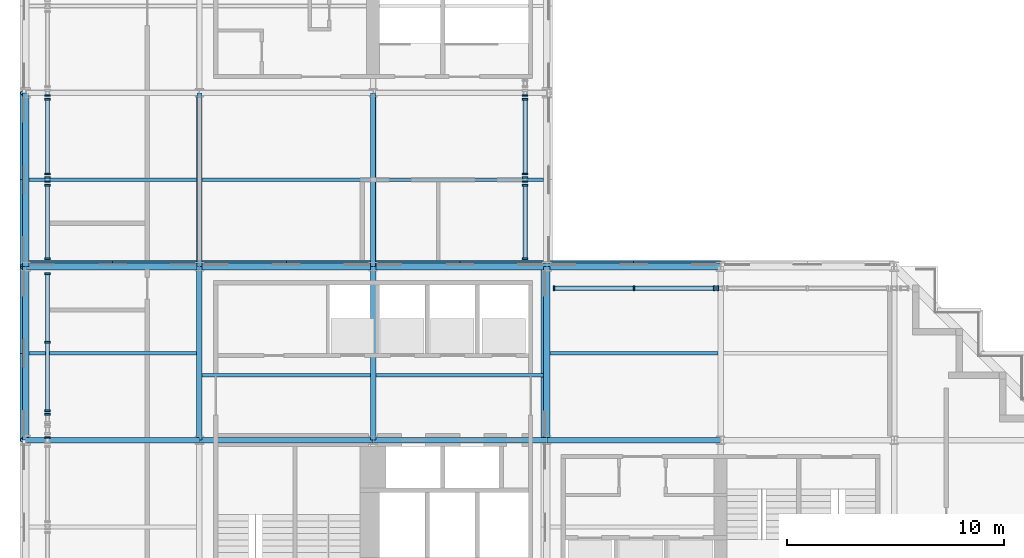
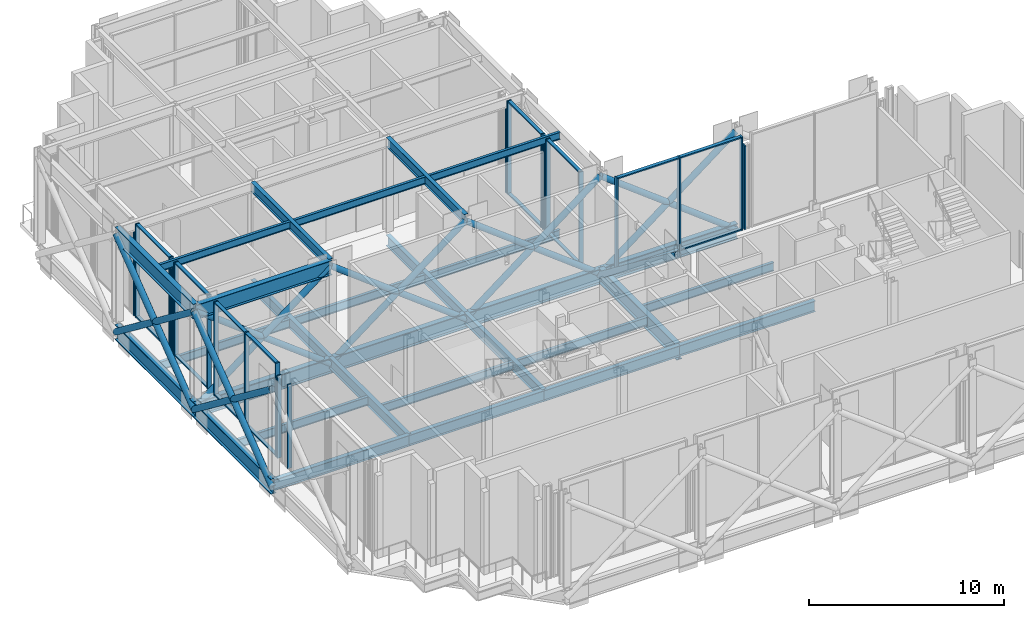
# One storey, part 3 of 23: 52 members, 29 beams, 13 elements without a shape of their own.
"""IFC4 building model written with IfcOpenShell, lengths in metres."""

import ifcopenshell
import ifcopenshell.guid

model = None  # the IFC model being written
_history = None  # IfcOwnerHistory: only IFC2X3 demands one
_inside = {}  # id of a spatial element -> (the spatial element, [elements in it])
_under = {}  # id of a project, library or spatial element -> (it, [spatial elements below it])
_declared = {}  # id of a project -> (the project, [libraries it declares])
_typed = {}  # id of a type object -> (the type object, [elements of that type])
_made_of = {}  # id of a material, layer set ... -> (it, [elements and type objects made of it])


def new_model(schema):
    """Start an empty IFC model of exactly this schema.

    Asked for "IFC4X3", IfcOpenShell would pick the latest addendum, in which some entities
    have other attributes; the version numbers below select the first issue.
    IFC2X3 requires an IfcOwnerHistory on every rooted entity: one is made here for all.
    """
    global model, _history
    if schema == "IFC4X3":
        model = ifcopenshell.file(schema_version=(4, 3, 0, 0))
    else:
        model = ifcopenshell.file(schema=schema)
    _inside.clear()
    _under.clear()
    _declared.clear()
    _typed.clear()
    _made_of.clear()
    _history = None
    if model.schema == "IFC2X3":
        org = make("IfcOrganization", Name="unknown")
        user = make(
            "IfcPersonAndOrganization",
            ThePerson=make("IfcPerson", FamilyName="unknown"),
            TheOrganization=org,
        )
        app = make(
            "IfcApplication",
            ApplicationDeveloper=org,
            Version="unknown",
            ApplicationFullName="unknown",
            ApplicationIdentifier="unknown",
        )
        _history = make(
            "IfcOwnerHistory",
            OwningUser=user,
            OwningApplication=app,
            ChangeAction="ADDED",
            CreationDate=0,
        )
    return model


def make(cls, **values):
    """One entity of the class cls with the attributes given. An attribute that is None is left unset."""
    return model.create_entity(
        cls, **{name: value for name, value in values.items() if value is not None}
    )


def rooted(cls, **values):
    """An entity with a GlobalId (a new one), such as an element, a storey or a relation."""
    return make(cls, GlobalId=ifcopenshell.guid.new(), OwnerHistory=_history, **values)


def si_unit(unit_type, name, prefix=None):
    """IfcSIUnit, for example si_unit("LENGTHUNIT", "METRE", prefix="MILLI")."""
    return make("IfcSIUnit", UnitType=unit_type, Prefix=prefix, Name=name)


def assignment(units):
    """IfcUnitAssignment: the units of a project."""
    return None if units is None else make("IfcUnitAssignment", Units=units)


def point(xyz):
    """IfcCartesianPoint."""
    return None if xyz is None else make("IfcCartesianPoint", Coordinates=xyz)


def direction(xyz):
    """IfcDirection."""
    return None if xyz is None else make("IfcDirection", DirectionRatios=xyz)


def frame(location, z_axis=None, x_axis=None):
    """IfcAxis2Placement3D, a coordinate frame: its origin and axes. An axis left out is left unset."""
    return make(
        "IfcAxis2Placement3D",
        Location=point(location),
        Axis=direction(z_axis),
        RefDirection=direction(x_axis),
    )


def frame_2d(location, x_axis=None):
    """IfcAxis2Placement2D, a coordinate frame in the plane: its origin and x axis."""
    return make(
        "IfcAxis2Placement2D", Location=point(location), RefDirection=direction(x_axis)
    )


def origin():
    """The frame at (0, 0, 0) with its axes left unset."""
    return frame((0.0, 0.0, 0.0))


def origin_2d():
    """The frame at (0, 0) in the plane with its x axis left unset."""
    return frame_2d((0.0, 0.0))


def place(relative_to, where):
    """IfcLocalPlacement: puts the frame where relative to a parent placement (None: the world)."""
    return make(
        "IfcLocalPlacement", PlacementRelTo=relative_to, RelativePlacement=where
    )


def context(
    kind, dimensions, precision=None, world=None, true_north=None, identifier=None
):
    """IfcGeometricRepresentationContext, for example the 3D "Model" context."""
    return make(
        "IfcGeometricRepresentationContext",
        ContextIdentifier=identifier,
        ContextType=kind,
        CoordinateSpaceDimension=dimensions,
        Precision=precision,
        WorldCoordinateSystem=world,
        TrueNorth=true_north,
    )


def subcontext(parent, identifier, kind, view, scale=None):
    """IfcGeometricRepresentationSubContext, for example "Body" below "Model"."""
    return make(
        "IfcGeometricRepresentationSubContext",
        ContextIdentifier=identifier,
        ContextType=kind,
        ParentContext=parent,
        TargetScale=scale,
        TargetView=view,
    )


def project(units=None, contexts=None):
    """IfcProject with its units and contexts."""
    return rooted(
        "IfcProject",
        Name="project",
        RepresentationContexts=contexts,
        UnitsInContext=assignment(units),
    )


def spatial(cls, under=None, at=None, **own):
    """A site, building, storey or space (cls), placed at a placement, below another one or the project."""
    s = rooted(cls, ObjectPlacement=at, **own)
    if under is not None:
        _under.setdefault(under.id(), (under, []))[1].append(s)
    return s


def profile(cls, at=None, kind="AREA", **sizes):
    """A parametric profile (cls). Its sizes go by their IFC names, for example OverallWidth=200.0."""
    return make(cls, ProfileType=kind, Position=at, **sizes)


def rectangle(**sizes):
    """IfcRectangleProfileDef."""
    return profile("IfcRectangleProfileDef", **sizes)


def hollow_circle(**sizes):
    """IfcCircleHollowProfileDef."""
    return profile("IfcCircleHollowProfileDef", **sizes)


def i_section(**sizes):
    """IfcIShapeProfileDef."""
    return profile("IfcIShapeProfileDef", **sizes)


def extrude(swept, where, along, depth):
    """IfcExtrudedAreaSolid: the profile swept, set in the frame where, extruded along a direction by depth."""
    return make(
        "IfcExtrudedAreaSolid",
        SweptArea=swept,
        Position=where,
        ExtrudedDirection=direction(along),
        Depth=depth,
    )


def shape(context_of_items, identifier, shape_type, items):
    """IfcShapeRepresentation: the items that make up one representation, for example the "Body"."""
    return make(
        "IfcShapeRepresentation",
        ContextOfItems=context_of_items,
        RepresentationIdentifier=identifier,
        RepresentationType=shape_type,
        Items=items,
    )


def material(Name=None, Category=None):
    """IfcMaterial."""
    return make("IfcMaterial", Name=Name, Category=Category)


def material_profile(
    of_material, cross_section, Name=None, Category=None, Priority=None
):
    """IfcMaterialProfile: a cross section and its material."""
    return make(
        "IfcMaterialProfile",
        Name=Name,
        Material=of_material,
        Profile=cross_section,
        Priority=Priority,
        Category=Category,
    )


def profile_set(profiles, Name=None, composite=None):
    """IfcMaterialProfileSet."""
    return make(
        "IfcMaterialProfileSet",
        Name=Name,
        MaterialProfiles=profiles,
        CompositeProfile=composite,
    )


def made_of(thing, what):
    """Note that an element or type object is made of a material, layer set ...; save() writes the relation."""
    if what is not None:
        _made_of.setdefault(what.id(), (what, []))[1].append(thing)
    return thing


def type_object(cls, material=None, **own):
    """A type object (cls), such as IfcWallType, which elements share."""
    return made_of(rooted(cls, **own), material)


def element(
    cls,
    number,
    at=None,
    inside=None,
    cuts=None,
    type_object=None,
    material=None,
    context=None,
    identifier="Body",
    shape_type=None,
    held_by="IfcProductDefinitionShape",
    body=None,
    shapes=None,
    **own,
):
    """One element of the class cls, such as IfcWall. Its Tag is "e" and its number.

    at: its placement. inside: the storey or other place that contains it. cuts: it is an
    opening in that element (IfcRelVoidsElement). A single representation is given by context,
    identifier, shape_type and body (its items); several are given by shapes. held_by: the class
    of the entity that holds the representations. save() writes the other relations.
    """
    e = rooted(cls, Tag="e%d" % number, ObjectPlacement=at, **own)
    if body is not None:
        shapes = [shape(context, identifier, shape_type, body)]
    if shapes is not None:
        e.Representation = make(held_by, Representations=shapes)
    if inside is not None:
        _inside.setdefault(inside.id(), (inside, []))[1].append(e)
    if cuts is not None:
        rooted(
            "IfcRelVoidsElement", RelatingBuildingElement=cuts, RelatedOpeningElement=e
        )
    if type_object is not None:
        _typed.setdefault(type_object.id(), (type_object, []))[1].append(e)
    return made_of(e, material)


def aggregate(whole, parts):
    """IfcRelAggregates: a whole, such as a stair, and the parts it consists of."""
    return rooted("IfcRelAggregates", RelatingObject=whole, RelatedObjects=parts)


def save(model, path):
    """Write the relations noted so far, then the file.

    IfcRelAggregates (storeys below a building ...), IfcRelContainedInSpatialStructure (elements
    in a storey), IfcRelDefinesByType, IfcRelAssociatesMaterial and IfcRelDeclares: one each for
    every whole, place, type object, material and project.
    """
    for whole, parts in _under.values():
        aggregate(whole, parts)
    for where, things in _inside.values():
        rooted(
            "IfcRelContainedInSpatialStructure",
            RelatedElements=things,
            RelatingStructure=where,
        )
    for kind, things in _typed.values():
        rooted("IfcRelDefinesByType", RelatedObjects=things, RelatingType=kind)
    for what, things in _made_of.values():
        rooted("IfcRelAssociatesMaterial", RelatedObjects=things, RelatingMaterial=what)
    for by, libraries in _declared.values():
        rooted("IfcRelDeclares", RelatingContext=by, RelatedDefinitions=libraries)
    model.write(path)


model = new_model("IFC4")

# Units and contexts
model_context = context("Model", 3, precision=1e-05, world=origin(), true_north=direction((0.0, 1.0)))
body_context = subcontext(model_context, "Body", "Model", "MODEL_VIEW")
ifc_project = project(units=[si_unit("LENGTHUNIT", "METRE"), si_unit("AREAUNIT", "SQUARE_METRE"), si_unit("VOLUMEUNIT", "CUBIC_METRE"), si_unit("PLANEANGLEUNIT", "RADIAN"), si_unit("MASSUNIT", "GRAM", prefix="KILO")], contexts=[model_context])

# Site, building, storey
site_placement = place(None, origin())
site = spatial("IfcSite", under=ifc_project, at=site_placement, CompositionType="ELEMENT")
building_placement = place(site_placement, origin())
building = spatial("IfcBuilding", under=site, at=building_placement, Name="Immortelle Media Tower", CompositionType="ELEMENT")
storey_placement = place(building_placement, frame((0.0, 0.0, 183.0)))
storey = spatial("IfcBuildingStorey", under=building, at=storey_placement, Name="L38", CompositionType="ELEMENT", Elevation=183.0)

# Members
ifc_material_1 = material(Name="Steel ASTM A500 Gr C", Category="steel")
ifc_material_profile_1 = material_profile(ifc_material_1, hollow_circle(Radius=0.177978515625, WallThickness=0.011962890625, at=origin_2d()), Name="HSS14.000x0.500 truss diagonal")
ifc_profile_set_1 = profile_set([ifc_material_profile_1], Name="Steel ASTM A500 Gr C")
member_type_1 = type_object("IfcMemberType", Name="HSS14.000x0.500 truss diagonal", PredefinedType="BRACE", material=ifc_profile_set_1)
for number, where, z_axis, x_axis, name in (
    (1, (-0.087890625, 16.0, -0.72509765625), (0.0, 0.794333061913, 0.607482499132), (-1.0, 0.0, 0.0), "Belt truss 1/C-D A"),
    (2, (-0.087890625, 16.0, 5.39306640625), (0.0, 0.794333061913, -0.607482499132), (-1.0, 0.0, 0.0), "Belt truss 1/C-D B"),
    (3, (0.0, 24.087890625, -0.72509765625), (0.794333061913, 0.0, 0.607482499132), (0.0, 1.0, 0.0), "Belt truss D/1-2 A"),
    (4, (0.0, 24.087890625, 5.39306640625), (0.794333061913, 0.0, -0.607482499132), (0.0, 1.0, 0.0), "Belt truss D/1-2 B"),
    (5, (-0.087890625, 24.0, -0.72509765625), (0.0, 0.794333061913, 0.607482499132), (-1.0, 0.0, 0.0), "Belt truss 1/D-E A"),
    (6, (-0.087890625, 24.0, 5.39306640625), (0.0, 0.794333061913, -0.607482499132), (-1.0, 0.0, 0.0), "Belt truss 1/D-E B"),
    (7, (8.0, 24.087890625, -0.72509765625), (0.794333061913, 0.0, 0.607482499132), (0.0, 1.0, 0.0), "Belt truss D/2-3 A"),
    (8, (8.0, 24.087890625, 5.39306640625), (0.794333061913, 0.0, -0.607482499132), (0.0, 1.0, 0.0), "Belt truss D/2-3 B"),
    (9, (16.0, 24.087890625, -0.72509765625), (0.794333061913, 0.0, 0.607482499132), (0.0, 1.0, 0.0), "Belt truss D/3-4 A"),
    (10, (16.0, 24.087890625, 5.39306640625), (0.794333061913, 0.0, -0.607482499132), (0.0, 1.0, 0.0), "Belt truss D/3-4 B"),
    (11, (23.912109375, 16.0, 5.39306640625), (0.0, 0.794333061913, -0.607482499132), (-1.0, 0.0, 0.0), "Belt truss 4/C-D B"),
    (12, (24.0, 24.087890625, -0.72509765625), (0.794333061913, 0.0, 0.607482499132), (0.0, 1.0, 0.0), "Belt truss D/4-5 A"),
    (13, (24.0, 24.087890625, 5.39306640625), (0.794333061913, 0.0, -0.607482499132), (0.0, 1.0, 0.0), "Belt truss D/4-5 B"),
):
    element("IfcMember", number, at=place(storey_placement, frame(where, z_axis=z_axis, x_axis=x_axis)), inside=storey, type_object=member_type_1, Name=name, PredefinedType="BRACE", context=body_context, shape_type="SweptSolid", body=[
        extrude(hollow_circle(Radius=0.177978515625, WallThickness=0.011962890625, at=origin_2d()), origin(), (0.0, 0.0, 1.0), 10.0712890625),
    ])

# Curtain wall, member
ifc_material_2 = material(Name="Aluminium curtain wall system", Category="aluminium")
curtain_wall_type = type_object("IfcCurtainWallType", Name="Plant louvre wall curtain wall", PredefinedType="NOTDEFINED", material=ifc_material_2)
curtain_wall_1_placement = place(storey_placement, origin())
curtain_wall_1 = element("IfcCurtainWall", 14, at=curtain_wall_1_placement, inside=storey, type_object=curtain_wall_type, Name="Plant louvre wall L38 N 21-5", PredefinedType="NOTDEFINED")
ifc_material_3 = material(Name="Aluminium 6063-T6", Category="aluminium")
ifc_material_profile_2 = material_profile(ifc_material_3, rectangle(XDim=0.25, YDim=0.080078125, at=origin_2d()), Name="AL 80x250")
ifc_profile_set_2 = profile_set([ifc_material_profile_2], Name="Aluminium 6063-T6")
member_type_2 = type_object("IfcMemberType", Name="Plant louvre wall mullion 80 x 250", PredefinedType="MULLION", material=ifc_profile_set_2)
member_1_placement = place(storey_placement, frame((31.8759765625, 23.0, 0.0), z_axis=(0.0, 0.0, 1.0), x_axis=(0.0, -1.0, 0.0)))
member_1 = element("IfcMember", 15, at=member_1_placement, type_object=member_type_2, Name="CW6 mullion 2", PredefinedType="MULLION", context=body_context, shape_type="SweptSolid", body=[
    extrude(rectangle(XDim=0.25, YDim=0.080078125, at=origin_2d()), origin(), (0.0, 0.0, 1.0), 5.24755859375),
])
aggregate(curtain_wall_1, [member_1])

# Curtain wall, members
curtain_wall_2_placement = place(storey_placement, origin())
curtain_wall_2 = element("IfcCurtainWall", 16, at=curtain_wall_2_placement, inside=storey, type_object=curtain_wall_type, Name="Plant louvre wall L38 N 21-6", PredefinedType="NOTDEFINED")
member_2_placement = place(storey_placement, frame((31.7060546875, 23.0, 0.0), z_axis=(0.0, 0.0, 1.0), x_axis=(0.0, -1.0, 0.0)))
member_2 = element("IfcMember", 17, at=member_2_placement, type_object=member_type_2, Name="CW6 mullion 1", PredefinedType="MULLION", context=body_context, shape_type="SweptSolid", body=[
    extrude(rectangle(XDim=0.25, YDim=0.080078125, at=origin_2d()), origin(), (0.0, 0.0, 1.0), 5.849609375),
])
member_3_placement = place(storey_placement, frame((28.019287109375, 23.0, 0.0), z_axis=(0.0, 0.0, 1.0), x_axis=(0.0, -1.0, 0.0)))
member_3 = element("IfcMember", 18, at=member_3_placement, type_object=member_type_2, Name="CW6 mullion 2", PredefinedType="MULLION", context=body_context, shape_type="SweptSolid", body=[
    extrude(rectangle(XDim=0.25, YDim=0.080078125, at=origin_2d()), origin(), (0.0, 0.0, 1.0), 5.849609375),
])
member_4_placement = place(storey_placement, frame((24.33251953125, 23.0, 0.0), z_axis=(0.0, 0.0, 1.0), x_axis=(0.0, -1.0, 0.0)))
member_4 = element("IfcMember", 19, at=member_4_placement, type_object=member_type_2, Name="CW6 mullion 3", PredefinedType="MULLION", context=body_context, shape_type="SweptSolid", body=[
    extrude(rectangle(XDim=0.25, YDim=0.080078125, at=origin_2d()), origin(), (0.0, 0.0, 1.0), 5.849609375),
])

curtain_wall_3_placement = place(storey_placement, origin())
curtain_wall_3 = element("IfcCurtainWall", 20, at=curtain_wall_3_placement, inside=storey, type_object=curtain_wall_type, Name="Plant louvre wall L38 E 22-2", PredefinedType="NOTDEFINED")
member_5_placement = place(storey_placement, frame((23.0, 24.35595703125, 0.0), z_axis=(0.0, 0.0, 1.0), x_axis=(-1.0, 0.0, 0.0)))
member_5 = element("IfcMember", 21, at=member_5_placement, type_object=member_type_2, Name="CW6 mullion 1", PredefinedType="MULLION", context=body_context, shape_type="SweptSolid", body=[
    extrude(rectangle(XDim=0.25, YDim=0.080078125, at=origin_2d()), origin(), (0.0, 0.0, 1.0), 5.849609375),
])
member_6_placement = place(storey_placement, frame((23.0, 27.743408203125, 0.0), z_axis=(0.0, 0.0, 1.0), x_axis=(-1.0, 0.0, 0.0)))
member_6 = element("IfcMember", 22, at=member_6_placement, type_object=member_type_2, Name="CW6 mullion 2", PredefinedType="MULLION", context=body_context, shape_type="SweptSolid", body=[
    extrude(rectangle(XDim=0.25, YDim=0.080078125, at=origin_2d()), origin(), (0.0, 0.0, 1.0), 5.849609375),
])

curtain_wall_4_placement = place(storey_placement, origin())
curtain_wall_4 = element("IfcCurtainWall", 23, at=curtain_wall_4_placement, inside=storey, type_object=curtain_wall_type, Name="Plant louvre wall L38 E 22-3", PredefinedType="NOTDEFINED")
member_7_placement = place(storey_placement, frame((23.0, 27.91357421875, 0.0), z_axis=(0.0, 0.0, 1.0), x_axis=(-1.0, 0.0, 0.0)))
member_7 = element("IfcMember", 24, at=member_7_placement, type_object=member_type_2, Name="CW6 mullion 1", PredefinedType="MULLION", context=body_context, shape_type="SweptSolid", body=[
    extrude(rectangle(XDim=0.25, YDim=0.080078125, at=origin_2d()), origin(), (0.0, 0.0, 1.0), 5.39453125),
])
member_8_placement = place(storey_placement, frame((23.0, 28.08642578125, 0.0), z_axis=(0.0, 0.0, 1.0), x_axis=(-1.0, 0.0, 0.0)))
member_8 = element("IfcMember", 25, at=member_8_placement, type_object=member_type_2, Name="CW6 mullion 2", PredefinedType="MULLION", context=body_context, shape_type="SweptSolid", body=[
    extrude(rectangle(XDim=0.25, YDim=0.080078125, at=origin_2d()), origin(), (0.0, 0.0, 1.0), 5.39453125),
])
aggregate(curtain_wall_4, [member_7, member_8])

curtain_wall_5_placement = place(storey_placement, origin())
curtain_wall_5 = element("IfcCurtainWall", 26, at=curtain_wall_5_placement, inside=storey, type_object=curtain_wall_type, Name="Plant louvre wall L38 E 22-4", PredefinedType="NOTDEFINED")
member_9_placement = place(storey_placement, frame((23.0, 28.256591796875, 0.0), z_axis=(0.0, 0.0, 1.0), x_axis=(-1.0, 0.0, 0.0)))
member_9 = element("IfcMember", 27, at=member_9_placement, type_object=member_type_2, Name="CW6 mullion 1", PredefinedType="MULLION", context=body_context, shape_type="SweptSolid", body=[
    extrude(rectangle(XDim=0.25, YDim=0.080078125, at=origin_2d()), origin(), (0.0, 0.0, 1.0), 5.849609375),
])
member_10_placement = place(storey_placement, frame((23.0, 31.7060546875, 0.0), z_axis=(0.0, 0.0, 1.0), x_axis=(-1.0, 0.0, 0.0)))
member_10 = element("IfcMember", 28, at=member_10_placement, type_object=member_type_2, Name="CW6 mullion 2", PredefinedType="MULLION", context=body_context, shape_type="SweptSolid", body=[
    extrude(rectangle(XDim=0.25, YDim=0.080078125, at=origin_2d()), origin(), (0.0, 0.0, 1.0), 5.849609375),
])

# Curtain wall, member
curtain_wall_6_placement = place(storey_placement, origin())
curtain_wall_6 = element("IfcCurtainWall", 29, at=curtain_wall_6_placement, inside=storey, type_object=curtain_wall_type, Name="Plant louvre wall L38 E 22-5", PredefinedType="NOTDEFINED")
member_11_placement = place(storey_placement, frame((23.0, 31.8759765625, 0.0), z_axis=(0.0, 0.0, 1.0), x_axis=(-1.0, 0.0, 0.0)))
member_11 = element("IfcMember", 30, at=member_11_placement, type_object=member_type_2, Name="CW6 mullion 1", PredefinedType="MULLION", context=body_context, shape_type="SweptSolid", body=[
    extrude(rectangle(XDim=0.25, YDim=0.080078125, at=origin_2d()), origin(), (0.0, 0.0, 1.0), 5.24755859375),
])
aggregate(curtain_wall_6, [member_11])

curtain_wall_7_placement = place(storey_placement, origin())
curtain_wall_7 = element("IfcCurtainWall", 31, at=curtain_wall_7_placement, inside=storey, type_object=curtain_wall_type, Name="Plant louvre wall L38 W 36-6", PredefinedType="NOTDEFINED")
member_12_placement = place(storey_placement, frame((1.0, 31.8759765625, 0.0), z_axis=(0.0, 0.0, 1.0), x_axis=(1.0, 0.0, 0.0)))
member_12 = element("IfcMember", 32, at=member_12_placement, type_object=member_type_2, Name="CW6 mullion 2", PredefinedType="MULLION", context=body_context, shape_type="SweptSolid", body=[
    extrude(rectangle(XDim=0.25, YDim=0.080078125, at=origin_2d()), origin(), (0.0, 0.0, 1.0), 5.24755859375),
])
aggregate(curtain_wall_7, [member_12])

# Curtain wall, members
curtain_wall_8_placement = place(storey_placement, origin())
curtain_wall_8 = element("IfcCurtainWall", 33, at=curtain_wall_8_placement, inside=storey, type_object=curtain_wall_type, Name="Plant louvre wall L38 W 36-7", PredefinedType="NOTDEFINED")
member_13_placement = place(storey_placement, frame((1.0, 31.7060546875, 0.0), z_axis=(0.0, 0.0, 1.0), x_axis=(1.0, 0.0, 0.0)))
member_13 = element("IfcMember", 34, at=member_13_placement, type_object=member_type_2, Name="CW6 mullion 1", PredefinedType="MULLION", context=body_context, shape_type="SweptSolid", body=[
    extrude(rectangle(XDim=0.25, YDim=0.080078125, at=origin_2d()), origin(), (0.0, 0.0, 1.0), 5.849609375),
])
member_14_placement = place(storey_placement, frame((1.0, 28.256591796875, 0.0), z_axis=(0.0, 0.0, 1.0), x_axis=(1.0, 0.0, 0.0)))
member_14 = element("IfcMember", 35, at=member_14_placement, type_object=member_type_2, Name="CW6 mullion 2", PredefinedType="MULLION", context=body_context, shape_type="SweptSolid", body=[
    extrude(rectangle(XDim=0.25, YDim=0.080078125, at=origin_2d()), origin(), (0.0, 0.0, 1.0), 5.849609375),
])

curtain_wall_9_placement = place(storey_placement, origin())
curtain_wall_9 = element("IfcCurtainWall", 36, at=curtain_wall_9_placement, inside=storey, type_object=curtain_wall_type, Name="Plant louvre wall L38 W 36-8", PredefinedType="NOTDEFINED")
member_15_placement = place(storey_placement, frame((1.0, 28.08642578125, 0.0), z_axis=(0.0, 0.0, 1.0), x_axis=(1.0, 0.0, 0.0)))
member_15 = element("IfcMember", 37, at=member_15_placement, type_object=member_type_2, Name="CW6 mullion 1", PredefinedType="MULLION", context=body_context, shape_type="SweptSolid", body=[
    extrude(rectangle(XDim=0.25, YDim=0.080078125, at=origin_2d()), origin(), (0.0, 0.0, 1.0), 5.39453125),
])
member_16_placement = place(storey_placement, frame((1.0, 27.91357421875, 0.0), z_axis=(0.0, 0.0, 1.0), x_axis=(1.0, 0.0, 0.0)))
member_16 = element("IfcMember", 38, at=member_16_placement, type_object=member_type_2, Name="CW6 mullion 2", PredefinedType="MULLION", context=body_context, shape_type="SweptSolid", body=[
    extrude(rectangle(XDim=0.25, YDim=0.080078125, at=origin_2d()), origin(), (0.0, 0.0, 1.0), 5.39453125),
])
aggregate(curtain_wall_9, [member_15, member_16])

curtain_wall_10_placement = place(storey_placement, origin())
curtain_wall_10 = element("IfcCurtainWall", 39, at=curtain_wall_10_placement, inside=storey, type_object=curtain_wall_type, Name="Plant louvre wall L38 W 36-9", PredefinedType="NOTDEFINED")
member_17_placement = place(storey_placement, frame((1.0, 27.743408203125, 0.0), z_axis=(0.0, 0.0, 1.0), x_axis=(1.0, 0.0, 0.0)))
member_17 = element("IfcMember", 40, at=member_17_placement, type_object=member_type_2, Name="CW6 mullion 1", PredefinedType="MULLION", context=body_context, shape_type="SweptSolid", body=[
    extrude(rectangle(XDim=0.25, YDim=0.080078125, at=origin_2d()), origin(), (0.0, 0.0, 1.0), 5.849609375),
])
member_18_placement = place(storey_placement, frame((1.0, 24.35595703125, 0.0), z_axis=(0.0, 0.0, 1.0), x_axis=(1.0, 0.0, 0.0)))
member_18 = element("IfcMember", 41, at=member_18_placement, type_object=member_type_2, Name="CW6 mullion 2", PredefinedType="MULLION", context=body_context, shape_type="SweptSolid", body=[
    extrude(rectangle(XDim=0.25, YDim=0.080078125, at=origin_2d()), origin(), (0.0, 0.0, 1.0), 5.849609375),
])

curtain_wall_11_placement = place(storey_placement, origin())
curtain_wall_11 = element("IfcCurtainWall", 42, at=curtain_wall_11_placement, inside=storey, type_object=curtain_wall_type, Name="Plant louvre wall L38 W 36-10", PredefinedType="NOTDEFINED")
member_19_placement = place(storey_placement, frame((1.0, 23.66748046875, 0.0), z_axis=(0.0, 0.0, 1.0), x_axis=(1.0, 0.0, 0.0)))
member_19 = element("IfcMember", 43, at=member_19_placement, type_object=member_type_2, Name="CW6 mullion 1", PredefinedType="MULLION", context=body_context, shape_type="SweptSolid", body=[
    extrude(rectangle(XDim=0.25, YDim=0.080078125, at=origin_2d()), origin(), (0.0, 0.0, 1.0), 5.849609375),
])
member_20_placement = place(storey_placement, frame((1.0, 20.5146484375, 0.0), z_axis=(0.0, 0.0, 1.0), x_axis=(1.0, 0.0, 0.0)))
member_20 = element("IfcMember", 44, at=member_20_placement, type_object=member_type_2, Name="CW6 mullion 2", PredefinedType="MULLION", context=body_context, shape_type="SweptSolid", body=[
    extrude(rectangle(XDim=0.25, YDim=0.080078125, at=origin_2d()), origin(), (0.0, 0.0, 1.0), 5.849609375),
])
member_21_placement = place(storey_placement, frame((1.0, 17.36181640625, 0.0), z_axis=(0.0, 0.0, 1.0), x_axis=(1.0, 0.0, 0.0)))
member_21 = element("IfcMember", 45, at=member_21_placement, type_object=member_type_2, Name="CW6 mullion 3", PredefinedType="MULLION", context=body_context, shape_type="SweptSolid", body=[
    extrude(rectangle(XDim=0.25, YDim=0.080078125, at=origin_2d()), origin(), (0.0, 0.0, 1.0), 5.849609375),
])

# Curtain wall, member
curtain_wall_12_placement = place(storey_placement, origin())
curtain_wall_12 = element("IfcCurtainWall", 46, at=curtain_wall_12_placement, inside=storey, type_object=curtain_wall_type, Name="Plant louvre wall L38 W 36-11", PredefinedType="NOTDEFINED")
member_22_placement = place(storey_placement, frame((1.0, 17.191650390625, 0.0), z_axis=(0.0, 0.0, 1.0), x_axis=(1.0, 0.0, 0.0)))
member_22 = element("IfcMember", 47, at=member_22_placement, type_object=member_type_2, Name="CW6 mullion 1", PredefinedType="MULLION", context=body_context, shape_type="SweptSolid", body=[
    extrude(rectangle(XDim=0.25, YDim=0.080078125, at=origin_2d()), origin(), (0.0, 0.0, 1.0), 5.156494140625),
])
aggregate(curtain_wall_12, [member_22])

curtain_wall_13_placement = place(storey_placement, origin())
curtain_wall_13 = element("IfcCurtainWall", 48, at=curtain_wall_13_placement, inside=storey, type_object=curtain_wall_type, Name="Plant louvre wall L38 W 36-13", PredefinedType="NOTDEFINED")
member_23_placement = place(storey_placement, frame((1.0, 16.1240234375, 0.0), z_axis=(0.0, 0.0, 1.0), x_axis=(1.0, 0.0, 0.0)))
member_23 = element("IfcMember", 49, at=member_23_placement, type_object=member_type_2, Name="CW6 mullion 1", PredefinedType="MULLION", context=body_context, shape_type="SweptSolid", body=[
    extrude(rectangle(XDim=0.25, YDim=0.080078125, at=origin_2d()), origin(), (0.0, 0.0, 1.0), 5.24755859375),
])
aggregate(curtain_wall_13, [member_23])

# Member
ifc_material_profile_3 = material_profile(ifc_material_3, rectangle(XDim=0.199951171875, YDim=0.080078125, at=origin_2d()), Name="AL 80x200")
ifc_profile_set_3 = profile_set([ifc_material_profile_3], Name="Aluminium 6063-T6")
member_type_3 = type_object("IfcMemberType", Name="Plant louvre wall transom 80 x 200", PredefinedType="USERDEFINED", material=ifc_profile_set_3)
member_24_placement = place(storey_placement, frame((31.666015625, 23.0, 0.0400390625), z_axis=(-1.0, 0.0, 0.0), x_axis=(0.0, -1.0, 0.0)))
member_24 = element("IfcMember", 50, at=member_24_placement, type_object=member_type_3, Name="CW6 transom 1.1", ObjectType="TRANSOM", PredefinedType="USERDEFINED", context=body_context, shape_type="SweptSolid", body=[
    extrude(rectangle(XDim=0.199951171875, YDim=0.080078125, at=origin_2d()), origin(), (0.0, 0.0, 1.0), 3.606689453125),
])

member_25_placement = place(storey_placement, frame((31.666015625, 23.0, 5.8095703125), z_axis=(-1.0, 0.0, 0.0), x_axis=(0.0, -1.0, 0.0)))
member_25 = element("IfcMember", 51, at=member_25_placement, type_object=member_type_3, Name="CW6 transom 1.2", ObjectType="TRANSOM", PredefinedType="USERDEFINED", context=body_context, shape_type="SweptSolid", body=[
    extrude(rectangle(XDim=0.199951171875, YDim=0.080078125, at=origin_2d()), origin(), (0.0, 0.0, 1.0), 3.606689453125),
])

member_26_placement = place(storey_placement, frame((27.979248046875, 23.0, 0.0400390625), z_axis=(-1.0, 0.0, 0.0), x_axis=(0.0, -1.0, 0.0)))
member_26 = element("IfcMember", 52, at=member_26_placement, type_object=member_type_3, Name="CW6 transom 2.1", ObjectType="TRANSOM", PredefinedType="USERDEFINED", context=body_context, shape_type="SweptSolid", body=[
    extrude(rectangle(XDim=0.199951171875, YDim=0.080078125, at=origin_2d()), origin(), (0.0, 0.0, 1.0), 3.606689453125),
])

member_27_placement = place(storey_placement, frame((27.979248046875, 23.0, 5.8095703125), z_axis=(-1.0, 0.0, 0.0), x_axis=(0.0, -1.0, 0.0)))
member_27 = element("IfcMember", 53, at=member_27_placement, type_object=member_type_3, Name="CW6 transom 2.2", ObjectType="TRANSOM", PredefinedType="USERDEFINED", context=body_context, shape_type="SweptSolid", body=[
    extrude(rectangle(XDim=0.199951171875, YDim=0.080078125, at=origin_2d()), origin(), (0.0, 0.0, 1.0), 3.606689453125),
])

aggregate(curtain_wall_2, [member_2, member_3, member_4, member_24, member_25, member_26, member_27])

member_28_placement = place(storey_placement, frame((23.0, 24.39599609375, 0.0400390625), z_axis=(0.0, 1.0, 0.0), x_axis=(-1.0, 0.0, 0.0)))
member_28 = element("IfcMember", 54, at=member_28_placement, type_object=member_type_3, Name="CW6 transom 1.1", ObjectType="TRANSOM", PredefinedType="USERDEFINED", context=body_context, shape_type="SweptSolid", body=[
    extrude(rectangle(XDim=0.199951171875, YDim=0.080078125, at=origin_2d()), origin(), (0.0, 0.0, 1.0), 3.3076171875),
])

member_29_placement = place(storey_placement, frame((23.0, 24.39599609375, 5.8095703125), z_axis=(0.0, 1.0, 0.0), x_axis=(-1.0, 0.0, 0.0)))
member_29 = element("IfcMember", 55, at=member_29_placement, type_object=member_type_3, Name="CW6 transom 1.2", ObjectType="TRANSOM", PredefinedType="USERDEFINED", context=body_context, shape_type="SweptSolid", body=[
    extrude(rectangle(XDim=0.199951171875, YDim=0.080078125, at=origin_2d()), origin(), (0.0, 0.0, 1.0), 3.3076171875),
])

aggregate(curtain_wall_3, [member_5, member_6, member_28, member_29])

member_30_placement = place(storey_placement, frame((23.0, 28.29638671875, 0.0400390625), z_axis=(0.0, 1.0, 0.0), x_axis=(-1.0, 0.0, 0.0)))
member_30 = element("IfcMember", 56, at=member_30_placement, type_object=member_type_3, Name="CW6 transom 1.1", ObjectType="TRANSOM", PredefinedType="USERDEFINED", context=body_context, shape_type="SweptSolid", body=[
    extrude(rectangle(XDim=0.199951171875, YDim=0.080078125, at=origin_2d()), origin(), (0.0, 0.0, 1.0), 3.36962890625),
])

member_31_placement = place(storey_placement, frame((23.0, 28.29638671875, 5.8095703125), z_axis=(0.0, 1.0, 0.0), x_axis=(-1.0, 0.0, 0.0)))
member_31 = element("IfcMember", 57, at=member_31_placement, type_object=member_type_3, Name="CW6 transom 1.2", ObjectType="TRANSOM", PredefinedType="USERDEFINED", context=body_context, shape_type="SweptSolid", body=[
    extrude(rectangle(XDim=0.199951171875, YDim=0.080078125, at=origin_2d()), origin(), (0.0, 0.0, 1.0), 3.36962890625),
])

aggregate(curtain_wall_5, [member_9, member_10, member_30, member_31])

member_32_placement = place(storey_placement, frame((1.0, 31.666015625, 0.0400390625), z_axis=(0.0, -1.0, 0.0), x_axis=(1.0, 0.0, 0.0)))
member_32 = element("IfcMember", 58, at=member_32_placement, type_object=member_type_3, Name="CW6 transom 1.1", ObjectType="TRANSOM", PredefinedType="USERDEFINED", context=body_context, shape_type="SweptSolid", body=[
    extrude(rectangle(XDim=0.199951171875, YDim=0.080078125, at=origin_2d()), origin(), (0.0, 0.0, 1.0), 3.36962890625),
])

member_33_placement = place(storey_placement, frame((1.0, 31.666015625, 5.8095703125), z_axis=(0.0, -1.0, 0.0), x_axis=(1.0, 0.0, 0.0)))
member_33 = element("IfcMember", 59, at=member_33_placement, type_object=member_type_3, Name="CW6 transom 1.2", ObjectType="TRANSOM", PredefinedType="USERDEFINED", context=body_context, shape_type="SweptSolid", body=[
    extrude(rectangle(XDim=0.199951171875, YDim=0.080078125, at=origin_2d()), origin(), (0.0, 0.0, 1.0), 3.36962890625),
])

aggregate(curtain_wall_8, [member_13, member_14, member_32, member_33])

member_34_placement = place(storey_placement, frame((1.0, 27.70361328125, 0.0400390625), z_axis=(0.0, -1.0, 0.0), x_axis=(1.0, 0.0, 0.0)))
member_34 = element("IfcMember", 60, at=member_34_placement, type_object=member_type_3, Name="CW6 transom 1.1", ObjectType="TRANSOM", PredefinedType="USERDEFINED", context=body_context, shape_type="SweptSolid", body=[
    extrude(rectangle(XDim=0.199951171875, YDim=0.080078125, at=origin_2d()), origin(), (0.0, 0.0, 1.0), 3.3076171875),
])

member_35_placement = place(storey_placement, frame((1.0, 27.70361328125, 5.8095703125), z_axis=(0.0, -1.0, 0.0), x_axis=(1.0, 0.0, 0.0)))
member_35 = element("IfcMember", 61, at=member_35_placement, type_object=member_type_3, Name="CW6 transom 1.2", ObjectType="TRANSOM", PredefinedType="USERDEFINED", context=body_context, shape_type="SweptSolid", body=[
    extrude(rectangle(XDim=0.199951171875, YDim=0.080078125, at=origin_2d()), origin(), (0.0, 0.0, 1.0), 3.3076171875),
])

aggregate(curtain_wall_10, [member_17, member_18, member_34, member_35])

member_36_placement = place(storey_placement, frame((1.0, 23.62744140625, 0.0400390625), z_axis=(0.0, -1.0, 0.0), x_axis=(1.0, 0.0, 0.0)))
member_36 = element("IfcMember", 62, at=member_36_placement, type_object=member_type_3, Name="CW6 transom 1.1", ObjectType="TRANSOM", PredefinedType="USERDEFINED", context=body_context, shape_type="SweptSolid", body=[
    extrude(rectangle(XDim=0.199951171875, YDim=0.080078125, at=origin_2d()), origin(), (0.0, 0.0, 1.0), 3.07275390625),
])

member_37_placement = place(storey_placement, frame((1.0, 23.62744140625, 5.8095703125), z_axis=(0.0, -1.0, 0.0), x_axis=(1.0, 0.0, 0.0)))
member_37 = element("IfcMember", 63, at=member_37_placement, type_object=member_type_3, Name="CW6 transom 1.2", ObjectType="TRANSOM", PredefinedType="USERDEFINED", context=body_context, shape_type="SweptSolid", body=[
    extrude(rectangle(XDim=0.199951171875, YDim=0.080078125, at=origin_2d()), origin(), (0.0, 0.0, 1.0), 3.07275390625),
])

member_38_placement = place(storey_placement, frame((1.0, 20.474609375, 0.0400390625), z_axis=(0.0, -1.0, 0.0), x_axis=(1.0, 0.0, 0.0)))
member_38 = element("IfcMember", 64, at=member_38_placement, type_object=member_type_3, Name="CW6 transom 2.1", ObjectType="TRANSOM", PredefinedType="USERDEFINED", context=body_context, shape_type="SweptSolid", body=[
    extrude(rectangle(XDim=0.199951171875, YDim=0.080078125, at=origin_2d()), origin(), (0.0, 0.0, 1.0), 3.072998046875),
])

member_39_placement = place(storey_placement, frame((1.0, 20.474609375, 5.8095703125), z_axis=(0.0, -1.0, 0.0), x_axis=(1.0, 0.0, 0.0)))
member_39 = element("IfcMember", 65, at=member_39_placement, type_object=member_type_3, Name="CW6 transom 2.2", ObjectType="TRANSOM", PredefinedType="USERDEFINED", context=body_context, shape_type="SweptSolid", body=[
    extrude(rectangle(XDim=0.199951171875, YDim=0.080078125, at=origin_2d()), origin(), (0.0, 0.0, 1.0), 3.072998046875),
])

aggregate(curtain_wall_11, [member_19, member_20, member_21, member_36, member_37, member_38, member_39])

# Beams
ifc_material_4 = material(Name="Steel ASTM A992 Gr 50", Category="steel")
ifc_material_profile_4 = material_profile(ifc_material_4, i_section(OverallWidth=0.153076171875, OverallDepth=0.455078125, WebThickness=0.008056640625, FlangeThickness=0.012939453125, at=origin_2d()), Name="W18x40")
ifc_profile_set_4 = profile_set([ifc_material_profile_4], Name="Steel ASTM A992 Gr 50")
beam_type_1 = type_object("IfcBeamType", Name="W18x40 secondary beam", PredefinedType="JOIST", material=ifc_profile_set_4)
beam_1_placement = place(storey_placement, frame((0.152587890625, 28.0, 5.62255859375), z_axis=(1.0, 0.0, 0.0), x_axis=(0.0, 1.0, 0.0)))
element("IfcBeam", 66, at=beam_1_placement, inside=storey, type_object=beam_type_1, Name="Beam D-E/1-2", PredefinedType="JOIST", context=body_context, shape_type="SweptSolid", body=[
    extrude(i_section(OverallWidth=0.153076171875, OverallDepth=0.455078125, WebThickness=0.008056640625, FlangeThickness=0.012939453125, at=origin_2d()), origin(), (0.0, 0.0, 1.0), 7.7333984375),
])
beam_2_placement = place(storey_placement, frame((8.114013671875, 28.0, 5.62255859375), z_axis=(1.0, 0.0, 0.0), x_axis=(0.0, 1.0, 0.0)))
element("IfcBeam", 67, at=beam_2_placement, inside=storey, type_object=beam_type_1, Name="Beam D-E/2-3", PredefinedType="JOIST", context=body_context, shape_type="SweptSolid", body=[
    extrude(i_section(OverallWidth=0.153076171875, OverallDepth=0.455078125, WebThickness=0.008056640625, FlangeThickness=0.012939453125, at=origin_2d()), origin(), (0.0, 0.0, 1.0), 7.77197265625),
])
beam_3_placement = place(storey_placement, frame((16.114013671875, 28.0, 5.62255859375), z_axis=(1.0, 0.0, 0.0), x_axis=(0.0, 1.0, 0.0)))
element("IfcBeam", 68, at=beam_3_placement, inside=storey, type_object=beam_type_1, Name="Beam D-E/3-4", PredefinedType="JOIST", context=body_context, shape_type="SweptSolid", body=[
    extrude(i_section(OverallWidth=0.153076171875, OverallDepth=0.455078125, WebThickness=0.008056640625, FlangeThickness=0.012939453125, at=origin_2d()), origin(), (0.0, 0.0, 1.0), 7.7333984375),
])
ifc_material_profile_5 = material_profile(ifc_material_4, i_section(OverallWidth=0.1669921875, OverallDepth=0.535888671875, WebThickness=0.010009765625, FlangeThickness=0.01708984375, at=origin_2d()), Name="W21x57")
ifc_profile_set_5 = profile_set([ifc_material_profile_5], Name="Steel ASTM A992 Gr 50")
beam_type_2 = type_object("IfcBeamType", Name="W21x57 secondary beam", PredefinedType="JOIST", material=ifc_profile_set_5)
beam_4_placement = place(storey_placement, frame((0.155029296875, 20.0, -0.51806640625), z_axis=(1.0, 0.0, 0.0), x_axis=(0.0, 1.0, 0.0)))
element("IfcBeam", 69, at=beam_4_placement, inside=storey, type_object=beam_type_2, Name="Beam C-D/1-2", PredefinedType="JOIST", context=body_context, shape_type="SweptSolid", body=[
    extrude(i_section(OverallWidth=0.1669921875, OverallDepth=0.535888671875, WebThickness=0.010009765625, FlangeThickness=0.01708984375, at=origin_2d()), origin(), (0.0, 0.0, 1.0), 7.718505859375),
])
beam_5_placement = place(storey_placement, frame((8.12646484375, 19.0, -0.51806640625), z_axis=(1.0, 0.0, 0.0), x_axis=(0.0, 1.0, 0.0)))
element("IfcBeam", 70, at=beam_5_placement, inside=storey, type_object=beam_type_2, Name="Beam C-D/2-3", PredefinedType="JOIST", context=body_context, shape_type="SweptSolid", body=[
    extrude(i_section(OverallWidth=0.1669921875, OverallDepth=0.535888671875, WebThickness=0.010009765625, FlangeThickness=0.01708984375, at=origin_2d()), origin(), (0.0, 0.0, 1.0), 7.7470703125),
])
for number, where, z_axis, x_axis, name in (
    (71, (16.12646484375, 19.0, -0.51806640625), (1.0, 0.0, 0.0), (0.0, 1.0, 0.0), "Beam C-D/3-4"),
    (72, (24.155029296875, 20.0, -0.51806640625), (1.0, 0.0, 0.0), (0.0, 1.0, 0.0), "Beam C-D/4-5"),
    (73, (0.155029296875, 28.0, -0.51806640625), (1.0, 0.0, 0.0), (0.0, 1.0, 0.0), "Beam D-E/1-2"),
):
    element("IfcBeam", number, at=place(storey_placement, frame(where, z_axis=z_axis, x_axis=x_axis)), inside=storey, type_object=beam_type_2, Name=name, PredefinedType="JOIST", context=body_context, shape_type="SweptSolid", body=[
        extrude(i_section(OverallWidth=0.1669921875, OverallDepth=0.535888671875, WebThickness=0.010009765625, FlangeThickness=0.01708984375, at=origin_2d()), origin(), (0.0, 0.0, 1.0), 7.718505859375),
    ])
beam_6_placement = place(storey_placement, frame((8.12646484375, 28.0, -0.51806640625), z_axis=(1.0, 0.0, 0.0), x_axis=(0.0, 1.0, 0.0)))
element("IfcBeam", 74, at=beam_6_placement, inside=storey, type_object=beam_type_2, Name="Beam D-E/2-3", PredefinedType="JOIST", context=body_context, shape_type="SweptSolid", body=[
    extrude(i_section(OverallWidth=0.1669921875, OverallDepth=0.535888671875, WebThickness=0.010009765625, FlangeThickness=0.01708984375, at=origin_2d()), origin(), (0.0, 0.0, 1.0), 7.7470703125),
])
beam_7_placement = place(storey_placement, frame((16.12646484375, 28.0, -0.51806640625), z_axis=(1.0, 0.0, 0.0), x_axis=(0.0, 1.0, 0.0)))
element("IfcBeam", 75, at=beam_7_placement, inside=storey, type_object=beam_type_2, Name="Beam D-E/3-4", PredefinedType="JOIST", context=body_context, shape_type="SweptSolid", body=[
    extrude(i_section(OverallWidth=0.1669921875, OverallDepth=0.535888671875, WebThickness=0.010009765625, FlangeThickness=0.01708984375, at=origin_2d()), origin(), (0.0, 0.0, 1.0), 7.718505859375),
])
ifc_material_profile_6 = material_profile(ifc_material_4, i_section(OverallWidth=0.22802734375, OverallDepth=0.60205078125, WebThickness=0.010986328125, FlangeThickness=0.014892578125, at=origin_2d()), Name="W24x68")
ifc_profile_set_6 = profile_set([ifc_material_profile_6], Name="Steel ASTM A992 Gr 50")
beam_type_3 = type_object("IfcBeamType", Name="W24x68 girder", PredefinedType="BEAM", material=ifc_profile_set_6)
for number, where, z_axis, x_axis, name in (
    (76, (8.0, 24.0, 5.549072265625), (0.0, 1.0, 0.0), (-1.0, 0.0, 0.0), "Girder 2/D-E"),
    (77, (16.0, 24.0, 5.549072265625), (0.0, 1.0, 0.0), (-1.0, 0.0, 0.0), "Girder 3/D-E"),
):
    element("IfcBeam", number, at=place(storey_placement, frame(where, z_axis=z_axis, x_axis=x_axis)), inside=storey, type_object=beam_type_3, Name=name, PredefinedType="BEAM", context=body_context, shape_type="SweptSolid", body=[
        extrude(i_section(OverallWidth=0.22802734375, OverallDepth=0.60205078125, WebThickness=0.010986328125, FlangeThickness=0.014892578125, at=origin_2d()), origin(), (0.0, 0.0, 1.0), 8.0),
    ])
ifc_material_profile_7 = material_profile(ifc_material_4, i_section(OverallWidth=0.2529296875, OverallDepth=0.677978515625, WebThickness=0.011962890625, FlangeThickness=0.01611328125, at=origin_2d()), Name="W27x84")
ifc_profile_set_7 = profile_set([ifc_material_profile_7], Name="Steel ASTM A992 Gr 50")
beam_type_4 = type_object("IfcBeamType", Name="W27x84 girder", PredefinedType="BEAM", material=ifc_profile_set_7)
for number, where, z_axis, x_axis, name in (
    (78, (0.0, 16.0, -0.589111328125), (1.0, 0.0, 0.0), (0.0, 1.0, 0.0), "Girder C/1-2"),
    (79, (8.0, 16.0, -0.589111328125), (1.0, 0.0, 0.0), (0.0, 1.0, 0.0), "Girder C/2-3"),
    (80, (8.0, 16.0, -0.589111328125), (0.0, 1.0, 0.0), (-1.0, 0.0, 0.0), "Girder 2/C-D"),
    (81, (8.0, 24.0, -0.589111328125), (0.0, 1.0, 0.0), (-1.0, 0.0, 0.0), "Girder 2/D-E"),
    (82, (16.0, 16.0, -0.589111328125), (1.0, 0.0, 0.0), (0.0, 1.0, 0.0), "Girder C/3-4"),
    (83, (16.0, 16.0, -0.589111328125), (0.0, 1.0, 0.0), (-1.0, 0.0, 0.0), "Girder 3/C-D"),
    (84, (16.0, 24.0, -0.589111328125), (0.0, 1.0, 0.0), (-1.0, 0.0, 0.0), "Girder 3/D-E"),
    (85, (24.0, 16.0, -0.589111328125), (1.0, 0.0, 0.0), (0.0, 1.0, 0.0), "Girder C/4-5"),
):
    element("IfcBeam", number, at=place(storey_placement, frame(where, z_axis=z_axis, x_axis=x_axis)), inside=storey, type_object=beam_type_4, Name=name, PredefinedType="BEAM", context=body_context, shape_type="SweptSolid", body=[
        extrude(i_section(OverallWidth=0.2529296875, OverallDepth=0.677978515625, WebThickness=0.011962890625, FlangeThickness=0.01611328125, at=origin_2d()), origin(), (0.0, 0.0, 1.0), 8.0),
    ])
ifc_material_profile_8 = material_profile(ifc_material_4, i_section(OverallWidth=0.304931640625, OverallDepth=0.9140625, WebThickness=0.01708984375, FlangeThickness=0.02587890625, at=origin_2d()), Name="W36x160")
ifc_profile_set_8 = profile_set([ifc_material_profile_8], Name="Steel ASTM A992 Gr 50")
beam_type_5 = type_object("IfcBeamType", Name="W36x160 perimeter girder", PredefinedType="SPANDREL", material=ifc_profile_set_8)
for number, where, z_axis, x_axis, name in (
    (86, (0.0, 24.0, 5.39306640625), (1.0, 0.0, 0.0), (0.0, 1.0, 0.0), "Girder D/1-2"),
    (87, (0.0, 24.0, 5.39306640625), (0.0, 1.0, 0.0), (-1.0, 0.0, 0.0), "Girder 1/D-E"),
):
    element("IfcBeam", number, at=place(storey_placement, frame(where, z_axis=z_axis, x_axis=x_axis)), inside=storey, type_object=beam_type_5, Name=name, PredefinedType="SPANDREL", context=body_context, shape_type="SweptSolid", body=[
        extrude(i_section(OverallWidth=0.304931640625, OverallDepth=0.9140625, WebThickness=0.01708984375, FlangeThickness=0.02587890625, at=origin_2d()), origin(), (0.0, 0.0, 1.0), 8.0),
    ])
ifc_material_profile_9 = material_profile(ifc_material_4, i_section(OverallWidth=0.31005859375, OverallDepth=0.949951171875, WebThickness=0.02392578125, FlangeThickness=0.0439453125, at=origin_2d()), Name="W36x256")
ifc_profile_set_9 = profile_set([ifc_material_profile_9], Name="Steel ASTM A992 Gr 50")
beam_type_6 = type_object("IfcBeamType", Name="W36x256 perimeter girder", PredefinedType="SPANDREL", material=ifc_profile_set_9)
for number, where, z_axis, x_axis, name in (
    (88, (0.0, 16.0, -0.72509765625), (0.0, 1.0, 0.0), (-1.0, 0.0, 0.0), "Girder 1/C-D"),
    (89, (0.0, 24.0, -0.72509765625), (1.0, 0.0, 0.0), (0.0, 1.0, 0.0), "Girder D/1-2"),
    (90, (0.0, 24.0, -0.72509765625), (0.0, 1.0, 0.0), (-1.0, 0.0, 0.0), "Girder 1/D-E"),
    (91, (8.0, 24.0, -0.72509765625), (1.0, 0.0, 0.0), (0.0, 1.0, 0.0), "Girder D/2-3"),
    (92, (16.0, 24.0, -0.72509765625), (1.0, 0.0, 0.0), (0.0, 1.0, 0.0), "Girder D/3-4"),
    (93, (24.0, 16.0, -0.72509765625), (0.0, 1.0, 0.0), (-1.0, 0.0, 0.0), "Girder 4/C-D"),
    (94, (24.0, 24.0, -0.72509765625), (1.0, 0.0, 0.0), (0.0, 1.0, 0.0), "Girder D/4-5"),
):
    element("IfcBeam", number, at=place(storey_placement, frame(where, z_axis=z_axis, x_axis=x_axis)), inside=storey, type_object=beam_type_6, Name=name, PredefinedType="SPANDREL", context=body_context, shape_type="SweptSolid", body=[
        extrude(i_section(OverallWidth=0.31005859375, OverallDepth=0.949951171875, WebThickness=0.02392578125, FlangeThickness=0.0439453125, at=origin_2d()), origin(), (0.0, 0.0, 1.0), 8.0),
    ])

save(model, "model.ifc")
